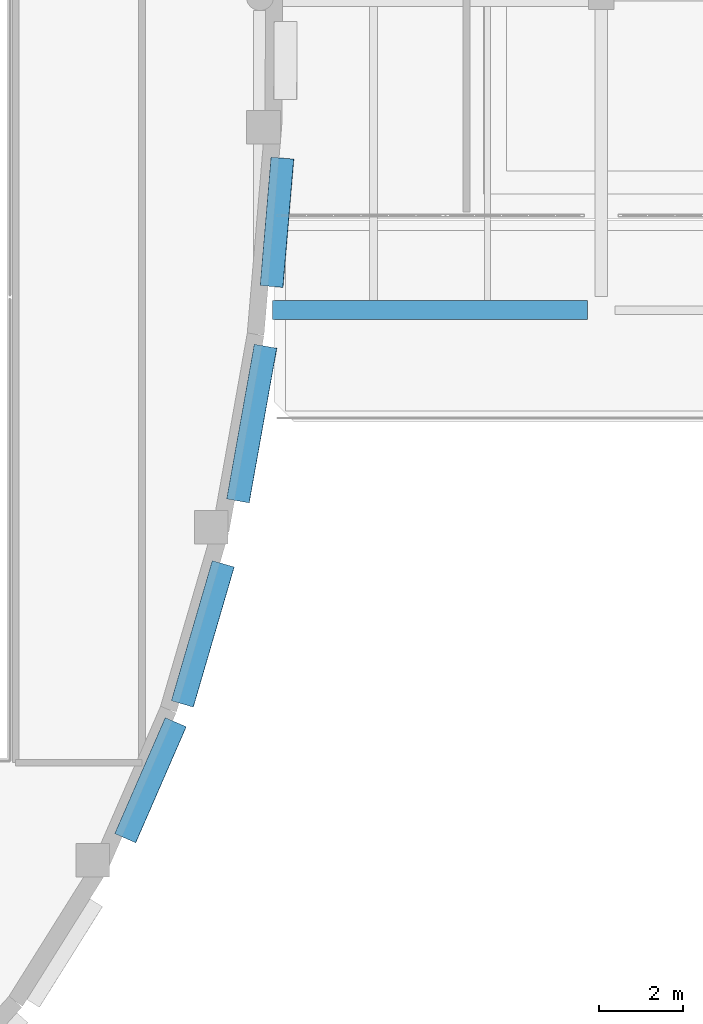
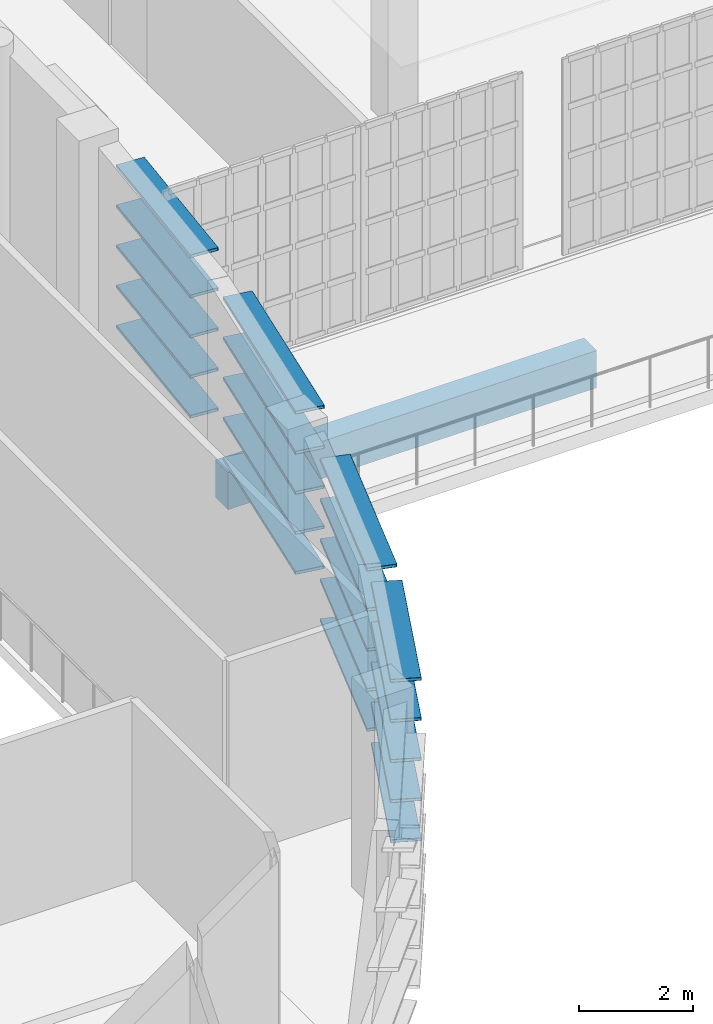
# One storey, part 6 of 73: 20 members, 1 beam.
"""IFC4 building model written with IfcOpenShell, lengths in metres."""

from ifc_helpers import new_model, si_unit, direction, frame, origin, origin_2d, place, context, subcontext, project, spatial, rectangle, hollow_rectangle, extrude, material, material_profile, profile_set, type_object, element, save


model = new_model("IFC4")

# Units and contexts
model_context = context("Model", 3, precision=1e-05, world=origin(), true_north=direction((0.0, 1.0)))
body_context = subcontext(model_context, "Body", "Model", "MODEL_VIEW")
ifc_project = project(units=[si_unit("LENGTHUNIT", "METRE"), si_unit("AREAUNIT", "SQUARE_METRE"), si_unit("VOLUMEUNIT", "CUBIC_METRE"), si_unit("PLANEANGLEUNIT", "RADIAN"), si_unit("MASSUNIT", "GRAM", prefix="KILO")], contexts=[model_context])

# Site, building, storey
site_placement = place(None, origin())
site = spatial("IfcSite", under=ifc_project, at=site_placement, CompositionType="ELEMENT")
building_placement = place(site_placement, origin())
building = spatial("IfcBuilding", under=site, at=building_placement, Name="Kaelora Sail Theatre", CompositionType="ELEMENT")
storey_placement = place(building_placement, frame((0.0, 0.0, 10.199951171875)))
storey = spatial("IfcBuildingStorey", under=building, at=storey_placement, Name="L02", CompositionType="ELEMENT", Elevation=10.199951171875)

# Members
ifc_material_1 = material(Name="Anodised aluminium 6063-T6", Category="aluminium")
ifc_material_profile_1 = material_profile(ifc_material_1, hollow_rectangle(XDim=0.550048828125, YDim=0.06494140625, WallThickness=0.00390625, InnerFilletRadius=0.00390625, OuterFilletRadius=0.008056640625, at=origin_2d()), Name="LOUVRE 550x65x4")
ifc_profile_set_1 = profile_set([ifc_material_profile_1], Name="Anodised aluminium 6063-T6")
member_type = type_object("IfcMemberType", Name="ARC-MEM-LVR-300", PredefinedType="USERDEFINED", material=ifc_profile_set_1)
for number, where, z_axis, x_axis, name in (
    (1, (58.731201171875, 49.75, 0.510009765625), (-0.084314088497, -0.996439227691, 0.0), (0.996439227691, -0.084314088497, 0.0), "Main Theatre Sail Drum horizontal solar louvre C3-12"),
    (2, (58.731201171875, 49.75, 1.3701171875), (-0.084314088497, -0.996439227691, 0.0), (0.996439227691, -0.084314088497, 0.0), "Main Theatre Sail Drum horizontal solar louvre C3-13"),
    (3, (58.731201171875, 49.75, 2.22998046875), (-0.084314088497, -0.996439227691, 0.0), (0.996439227691, -0.084314088497, 0.0), "Main Theatre Sail Drum horizontal solar louvre C3-14"),
    (4, (58.731201171875, 49.75, 3.090087890625), (-0.084314088497, -0.996439227691, 0.0), (0.996439227691, -0.084314088497, 0.0), "Main Theatre Sail Drum horizontal solar louvre C3-15"),
    (5, (58.731201171875, 49.75, 3.949951171875), (-0.084314088497, -0.996439227691, 0.0), (0.996439227691, -0.084314088497, 0.0), "Main Theatre Sail Drum horizontal solar louvre C3-16"),
):
    element("IfcMember", number, at=place(storey_placement, frame(where, z_axis=z_axis, x_axis=x_axis)), inside=storey, type_object=member_type, Name=name, ObjectType="LOUVRE", PredefinedType="USERDEFINED", context=body_context, shape_type="SweptSolid", body=[
        extrude(hollow_rectangle(XDim=0.550048828125, YDim=0.06494140625, WallThickness=0.00390625, InnerFilletRadius=0.00390625, OuterFilletRadius=0.008056640625, at=origin_2d()), origin(), (0.0, 0.0, 1.0), 3.057861328125),
    ])
for number, where, z_axis, x_axis, name in (
    (6, (58.33056640625, 45.284423828125, 0.510009765625), (-0.175566335005, -0.984467603333, 0.0), (0.984467603333, -0.175566335005, 0.0), "Main Theatre Sail Drum horizontal solar louvre C4-12"),
    (7, (58.33056640625, 45.284423828125, 1.3701171875), (-0.175566335005, -0.984467603333, 0.0), (0.984467603333, -0.175566335005, 0.0), "Main Theatre Sail Drum horizontal solar louvre C4-13"),
    (8, (58.33056640625, 45.284423828125, 2.22998046875), (-0.175566335005, -0.984467603333, 0.0), (0.984467603333, -0.175566335005, 0.0), "Main Theatre Sail Drum horizontal solar louvre C4-14"),
    (9, (58.33056640625, 45.284423828125, 3.090087890625), (-0.175566335005, -0.984467603333, 0.0), (0.984467603333, -0.175566335005, 0.0), "Main Theatre Sail Drum horizontal solar louvre C4-15"),
    (10, (58.33056640625, 45.284423828125, 3.949951171875), (-0.175566335005, -0.984467603333, 0.0), (0.984467603333, -0.175566335005, 0.0), "Main Theatre Sail Drum horizontal solar louvre C4-16"),
):
    element("IfcMember", number, at=place(storey_placement, frame(where, z_axis=z_axis, x_axis=x_axis)), inside=storey, type_object=member_type, Name=name, ObjectType="LOUVRE", PredefinedType="USERDEFINED", context=body_context, shape_type="SweptSolid", body=[
        extrude(hollow_rectangle(XDim=0.550048828125, YDim=0.06494140625, WallThickness=0.00390625, InnerFilletRadius=0.00390625, OuterFilletRadius=0.008056640625, at=origin_2d()), origin(), (0.0, 0.0, 1.0), 3.7294921875),
    ])
for number, where, z_axis, x_axis, name in (
    (11, (57.326904296875, 40.119384765625, 0.510009765625), (-0.280281368484, -0.959917889447, 0.0), (0.959917889447, -0.280281368484, 0.0), "Main Theatre Sail Drum horizontal solar louvre C5-12"),
    (12, (57.326904296875, 40.119384765625, 1.3701171875), (-0.280281368484, -0.959917889447, 0.0), (0.959917889447, -0.280281368484, 0.0), "Main Theatre Sail Drum horizontal solar louvre C5-13"),
    (13, (57.326904296875, 40.119384765625, 2.22998046875), (-0.280281368484, -0.959917889447, 0.0), (0.959917889447, -0.280281368484, 0.0), "Main Theatre Sail Drum horizontal solar louvre C5-14"),
    (14, (57.326904296875, 40.119384765625, 3.090087890625), (-0.280281368484, -0.959917889447, 0.0), (0.959917889447, -0.280281368484, 0.0), "Main Theatre Sail Drum horizontal solar louvre C5-15"),
    (15, (57.326904296875, 40.119384765625, 3.949951171875), (-0.280281368484, -0.959917889447, 0.0), (0.959917889447, -0.280281368484, 0.0), "Main Theatre Sail Drum horizontal solar louvre C5-16"),
):
    element("IfcMember", number, at=place(storey_placement, frame(where, z_axis=z_axis, x_axis=x_axis)), inside=storey, type_object=member_type, Name=name, ObjectType="LOUVRE", PredefinedType="USERDEFINED", context=body_context, shape_type="SweptSolid", body=[
        extrude(hollow_rectangle(XDim=0.550048828125, YDim=0.06494140625, WallThickness=0.00390625, InnerFilletRadius=0.00390625, OuterFilletRadius=0.008056640625, at=origin_2d()), origin(), (0.0, 0.0, 1.0), 3.465087890625),
    ])
for number, where, z_axis, x_axis, name in (
    (16, (56.19970703125, 36.35986328125, 0.510009765625), (-0.399228207285, -0.91685159023, 0.0), (0.91685159023, -0.399228207285, 0.0), "Main Theatre Sail Drum horizontal solar louvre C6-12"),
    (17, (56.19970703125, 36.35986328125, 1.3701171875), (-0.399228207285, -0.91685159023, 0.0), (0.91685159023, -0.399228207285, 0.0), "Main Theatre Sail Drum horizontal solar louvre C6-13"),
    (18, (56.19970703125, 36.35986328125, 2.22998046875), (-0.399228207285, -0.91685159023, 0.0), (0.91685159023, -0.399228207285, 0.0), "Main Theatre Sail Drum horizontal solar louvre C6-14"),
    (19, (56.19970703125, 36.35986328125, 3.090087890625), (-0.399228207285, -0.91685159023, 0.0), (0.91685159023, -0.399228207285, 0.0), "Main Theatre Sail Drum horizontal solar louvre C6-15"),
    (20, (56.19970703125, 36.35986328125, 3.949951171875), (-0.399228207285, -0.91685159023, 0.0), (0.91685159023, -0.399228207285, 0.0), "Main Theatre Sail Drum horizontal solar louvre C6-16"),
):
    element("IfcMember", number, at=place(storey_placement, frame(where, z_axis=z_axis, x_axis=x_axis)), inside=storey, type_object=member_type, Name=name, ObjectType="LOUVRE", PredefinedType="USERDEFINED", context=body_context, shape_type="SweptSolid", body=[
        extrude(hollow_rectangle(XDim=0.550048828125, YDim=0.06494140625, WallThickness=0.00390625, InnerFilletRadius=0.00390625, OuterFilletRadius=0.008056640625, at=origin_2d()), origin(), (0.0, 0.0, 1.0), 3.00439453125),
    ])

# Beam
ifc_material_2 = material(Name="Concrete C45/55", Category="concrete")
ifc_material_profile_2 = material_profile(ifc_material_2, rectangle(XDim=0.449951171875, YDim=0.800048828125, at=origin_2d()), Name="RC-BM 450x800")
ifc_profile_set_2 = profile_set([ifc_material_profile_2], Name="Concrete C45/55")
beam_type = type_object("IfcBeamType", Name="STR-BM-BM-RC4580", PredefinedType="BEAM", material=ifc_profile_set_2)
beam_placement = place(storey_placement, frame((58.5, 46.139892578125, -0.695068359375), z_axis=(1.0, 0.0, 0.0), x_axis=(0.0, 1.0, 0.0)))
element("IfcBeam", 21, at=beam_placement, inside=storey, type_object=beam_type, Name="Primary beam G 8-9 (L02)", PredefinedType="BEAM", context=body_context, shape_type="SweptSolid", body=[
    extrude(rectangle(XDim=0.449951171875, YDim=0.800048828125, at=origin_2d()), origin(), (0.0, 0.0, 1.0), 7.47509765625),
])

save(model, "model.ifc")
